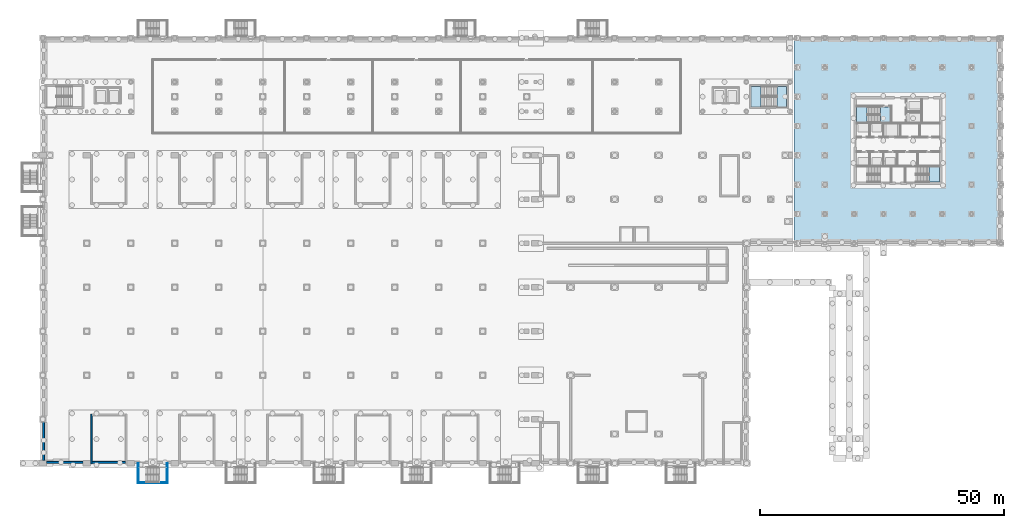
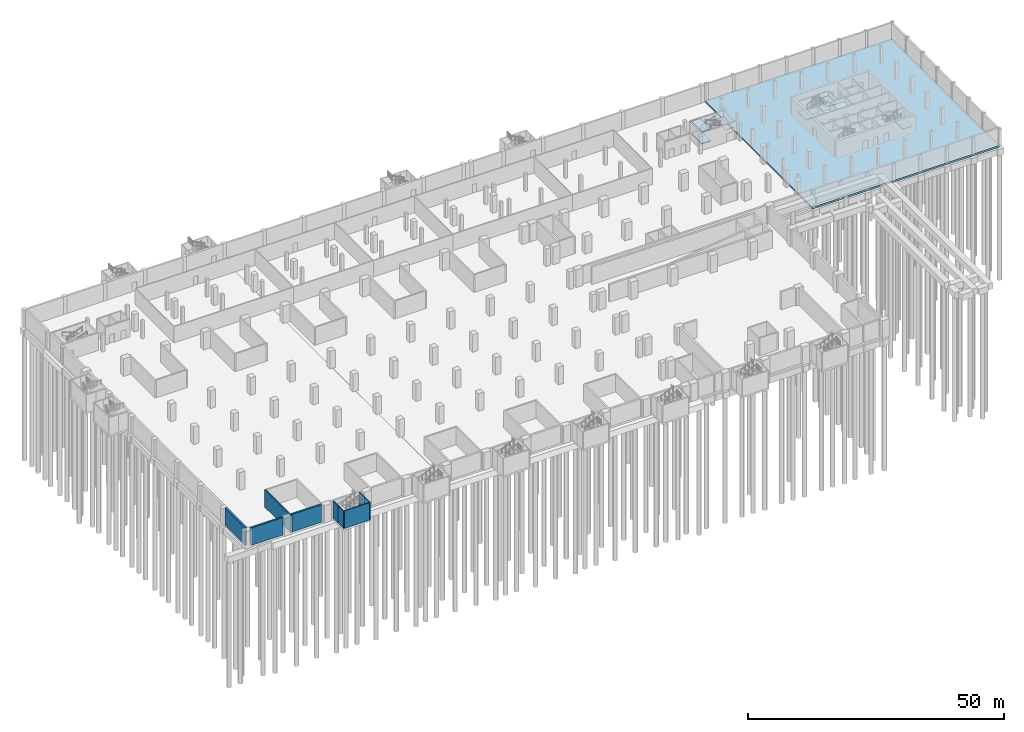
# One storey, part 9 of 29: 9 walls, 7 slabs, 3 elements without a shape of their own.
"""IFC4 building model written with IfcOpenShell, lengths in metres."""

import ifcopenshell
import ifcopenshell.guid

model = None  # the IFC model being written
_history = None  # IfcOwnerHistory: only IFC2X3 demands one
_inside = {}  # id of a spatial element -> (the spatial element, [elements in it])
_under = {}  # id of a project, library or spatial element -> (it, [spatial elements below it])
_declared = {}  # id of a project -> (the project, [libraries it declares])
_typed = {}  # id of a type object -> (the type object, [elements of that type])
_made_of = {}  # id of a material, layer set ... -> (it, [elements and type objects made of it])


def new_model(schema):
    """Start an empty IFC model of exactly this schema.

    Asked for "IFC4X3", IfcOpenShell would pick the latest addendum, in which some entities
    have other attributes; the version numbers below select the first issue.
    IFC2X3 requires an IfcOwnerHistory on every rooted entity: one is made here for all.
    """
    global model, _history
    if schema == "IFC4X3":
        model = ifcopenshell.file(schema_version=(4, 3, 0, 0))
    else:
        model = ifcopenshell.file(schema=schema)
    _inside.clear()
    _under.clear()
    _declared.clear()
    _typed.clear()
    _made_of.clear()
    _history = None
    if model.schema == "IFC2X3":
        org = make("IfcOrganization", Name="unknown")
        user = make(
            "IfcPersonAndOrganization",
            ThePerson=make("IfcPerson", FamilyName="unknown"),
            TheOrganization=org,
        )
        app = make(
            "IfcApplication",
            ApplicationDeveloper=org,
            Version="unknown",
            ApplicationFullName="unknown",
            ApplicationIdentifier="unknown",
        )
        _history = make(
            "IfcOwnerHistory",
            OwningUser=user,
            OwningApplication=app,
            ChangeAction="ADDED",
            CreationDate=0,
        )
    return model


def make(cls, **values):
    """One entity of the class cls with the attributes given. An attribute that is None is left unset."""
    return model.create_entity(
        cls, **{name: value for name, value in values.items() if value is not None}
    )


def rooted(cls, **values):
    """An entity with a GlobalId (a new one), such as an element, a storey or a relation."""
    return make(cls, GlobalId=ifcopenshell.guid.new(), OwnerHistory=_history, **values)


def si_unit(unit_type, name, prefix=None):
    """IfcSIUnit, for example si_unit("LENGTHUNIT", "METRE", prefix="MILLI")."""
    return make("IfcSIUnit", UnitType=unit_type, Prefix=prefix, Name=name)


def assignment(units):
    """IfcUnitAssignment: the units of a project."""
    return None if units is None else make("IfcUnitAssignment", Units=units)


def point(xyz):
    """IfcCartesianPoint."""
    return None if xyz is None else make("IfcCartesianPoint", Coordinates=xyz)


def direction(xyz):
    """IfcDirection."""
    return None if xyz is None else make("IfcDirection", DirectionRatios=xyz)


def frame(location, z_axis=None, x_axis=None):
    """IfcAxis2Placement3D, a coordinate frame: its origin and axes. An axis left out is left unset."""
    return make(
        "IfcAxis2Placement3D",
        Location=point(location),
        Axis=direction(z_axis),
        RefDirection=direction(x_axis),
    )


def frame_2d(location, x_axis=None):
    """IfcAxis2Placement2D, a coordinate frame in the plane: its origin and x axis."""
    return make(
        "IfcAxis2Placement2D", Location=point(location), RefDirection=direction(x_axis)
    )


def origin():
    """The frame at (0, 0, 0) with its axes left unset."""
    return frame((0.0, 0.0, 0.0))


def place(relative_to, where):
    """IfcLocalPlacement: puts the frame where relative to a parent placement (None: the world)."""
    return make(
        "IfcLocalPlacement", PlacementRelTo=relative_to, RelativePlacement=where
    )


def context(
    kind, dimensions, precision=None, world=None, true_north=None, identifier=None
):
    """IfcGeometricRepresentationContext, for example the 3D "Model" context."""
    return make(
        "IfcGeometricRepresentationContext",
        ContextIdentifier=identifier,
        ContextType=kind,
        CoordinateSpaceDimension=dimensions,
        Precision=precision,
        WorldCoordinateSystem=world,
        TrueNorth=true_north,
    )


def subcontext(parent, identifier, kind, view, scale=None):
    """IfcGeometricRepresentationSubContext, for example "Body" below "Model"."""
    return make(
        "IfcGeometricRepresentationSubContext",
        ContextIdentifier=identifier,
        ContextType=kind,
        ParentContext=parent,
        TargetScale=scale,
        TargetView=view,
    )


def project(units=None, contexts=None):
    """IfcProject with its units and contexts."""
    return rooted(
        "IfcProject",
        Name="project",
        RepresentationContexts=contexts,
        UnitsInContext=assignment(units),
    )


def spatial(cls, under=None, at=None, **own):
    """A site, building, storey or space (cls), placed at a placement, below another one or the project."""
    s = rooted(cls, ObjectPlacement=at, **own)
    if under is not None:
        _under.setdefault(under.id(), (under, []))[1].append(s)
    return s


def polyline(points):
    """IfcPolyline through the points."""
    return make("IfcPolyline", Points=[point(p) for p in points])


def profile(cls, at=None, kind="AREA", **sizes):
    """A parametric profile (cls). Its sizes go by their IFC names, for example OverallWidth=200.0."""
    return make(cls, ProfileType=kind, Position=at, **sizes)


def rectangle(**sizes):
    """IfcRectangleProfileDef."""
    return profile("IfcRectangleProfileDef", **sizes)


def outline(outer, holes=None, kind="AREA"):
    """IfcArbitraryClosedProfileDef: a profile drawn as a closed curve; with holes, ...WithVoids."""
    if holes is None:
        return make("IfcArbitraryClosedProfileDef", ProfileType=kind, OuterCurve=outer)
    return make(
        "IfcArbitraryProfileDefWithVoids",
        ProfileType=kind,
        OuterCurve=outer,
        InnerCurves=holes,
    )


def extrude(swept, where, along, depth):
    """IfcExtrudedAreaSolid: the profile swept, set in the frame where, extruded along a direction by depth."""
    return make(
        "IfcExtrudedAreaSolid",
        SweptArea=swept,
        Position=where,
        ExtrudedDirection=direction(along),
        Depth=depth,
    )


def shape(context_of_items, identifier, shape_type, items):
    """IfcShapeRepresentation: the items that make up one representation, for example the "Body"."""
    return make(
        "IfcShapeRepresentation",
        ContextOfItems=context_of_items,
        RepresentationIdentifier=identifier,
        RepresentationType=shape_type,
        Items=items,
    )


def material(Name=None, Category=None):
    """IfcMaterial."""
    return make("IfcMaterial", Name=Name, Category=Category)


def layer(
    of_material, thickness, ventilated=None, Name=None, Category=None, Priority=None
):
    """IfcMaterialLayer: one layer of a wall or slab, of a material (None: an air gap)."""
    return make(
        "IfcMaterialLayer",
        Material=of_material,
        LayerThickness=thickness,
        IsVentilated=ventilated,
        Name=Name,
        Category=Category,
        Priority=Priority,
    )


def layer_set(layers, Name=None):
    """IfcMaterialLayerSet."""
    return make("IfcMaterialLayerSet", MaterialLayers=layers, LayerSetName=Name)


def made_of(thing, what):
    """Note that an element or type object is made of a material, layer set ...; save() writes the relation."""
    if what is not None:
        _made_of.setdefault(what.id(), (what, []))[1].append(thing)
    return thing


def type_object(cls, material=None, **own):
    """A type object (cls), such as IfcWallType, which elements share."""
    return made_of(rooted(cls, **own), material)


def element(
    cls,
    number,
    at=None,
    inside=None,
    cuts=None,
    type_object=None,
    material=None,
    context=None,
    identifier="Body",
    shape_type=None,
    held_by="IfcProductDefinitionShape",
    body=None,
    shapes=None,
    **own,
):
    """One element of the class cls, such as IfcWall. Its Tag is "e" and its number.

    at: its placement. inside: the storey or other place that contains it. cuts: it is an
    opening in that element (IfcRelVoidsElement). A single representation is given by context,
    identifier, shape_type and body (its items); several are given by shapes. held_by: the class
    of the entity that holds the representations. save() writes the other relations.
    """
    e = rooted(cls, Tag="e%d" % number, ObjectPlacement=at, **own)
    if body is not None:
        shapes = [shape(context, identifier, shape_type, body)]
    if shapes is not None:
        e.Representation = make(held_by, Representations=shapes)
    if inside is not None:
        _inside.setdefault(inside.id(), (inside, []))[1].append(e)
    if cuts is not None:
        rooted(
            "IfcRelVoidsElement", RelatingBuildingElement=cuts, RelatedOpeningElement=e
        )
    if type_object is not None:
        _typed.setdefault(type_object.id(), (type_object, []))[1].append(e)
    return made_of(e, material)


def aggregate(whole, parts):
    """IfcRelAggregates: a whole, such as a stair, and the parts it consists of."""
    return rooted("IfcRelAggregates", RelatingObject=whole, RelatedObjects=parts)


def save(model, path):
    """Write the relations noted so far, then the file.

    IfcRelAggregates (storeys below a building ...), IfcRelContainedInSpatialStructure (elements
    in a storey), IfcRelDefinesByType, IfcRelAssociatesMaterial and IfcRelDeclares: one each for
    every whole, place, type object, material and project.
    """
    for whole, parts in _under.values():
        aggregate(whole, parts)
    for where, things in _inside.values():
        rooted(
            "IfcRelContainedInSpatialStructure",
            RelatedElements=things,
            RelatingStructure=where,
        )
    for kind, things in _typed.values():
        rooted("IfcRelDefinesByType", RelatedObjects=things, RelatingType=kind)
    for what, things in _made_of.values():
        rooted("IfcRelAssociatesMaterial", RelatedObjects=things, RelatingMaterial=what)
    for by, libraries in _declared.values():
        rooted("IfcRelDeclares", RelatingContext=by, RelatedDefinitions=libraries)
    model.write(path)


model = new_model("IFC4")

# Units and contexts
model_context = context("Model", 3, precision=1e-05, world=origin(), true_north=direction((0.0, 1.0)))
body_context = subcontext(model_context, "Body", "Model", "MODEL_VIEW")
ifc_project = project(units=[si_unit("LENGTHUNIT", "METRE"), si_unit("AREAUNIT", "SQUARE_METRE"), si_unit("VOLUMEUNIT", "CUBIC_METRE"), si_unit("PLANEANGLEUNIT", "RADIAN"), si_unit("MASSUNIT", "GRAM", prefix="KILO")], contexts=[model_context])

# Site, building, storey
site_placement = place(None, origin())
site = spatial("IfcSite", under=ifc_project, at=site_placement, CompositionType="ELEMENT")
building_placement = place(site_placement, origin())
building = spatial("IfcBuilding", under=site, at=building_placement, Name="Aravalli Gate Trade Fair Centre", CompositionType="ELEMENT")
storey_placement = place(building_placement, frame((0.0, 0.0, -8.39990234375)))
storey = spatial("IfcBuildingStorey", under=building, at=storey_placement, Name="B2", CompositionType="ELEMENT", Elevation=-8.39990234375)

# Slab
ifc_material_1 = material(Name="Concrete M40", Category="concrete")
ifc_layer_1 = layer(ifc_material_1, 0.39990234375)
ifc_layer_set_1 = layer_set([ifc_layer_1], Name="Concrete M40")
slab_type_1 = type_object("IfcSlabType", Name="Basement tie slab 400", PredefinedType="BASESLAB", material=ifc_layer_set_1)
slab_1_placement = place(storey_placement, frame((0.0, 0.0, -0.400146484375)))
element("IfcSlab", 1, at=slab_1_placement, inside=storey, type_object=slab_type_1, Name="Basement tie slab B2 east of the seismic joint", PredefinedType="BASESLAB", context=body_context, shape_type="SweptSolid", body=[
    extrude(outline(polyline([(202.0, 133.0), (202.0, 91.0), (159.699951171875, 91.0), (159.699951171875, 133.0), (202.0, 133.0)])), origin(), (0.0, 0.0, 1.0), 0.400146484375),
])

# Stair, slabs
ifc_material_2 = material(Name="Concrete M30", Category="concrete")
stair_type_1 = type_object("IfcStairType", Name="Concourse stair, 2000 wide", PredefinedType="HALF_TURN_STAIR", material=ifc_material_2)
stair_1_placement = place(storey_placement, origin())
stair_1 = element("IfcStair", 2, at=stair_1_placement, inside=storey, type_object=stair_type_1, Name="Stair ES B2", PredefinedType="HALF_TURN_STAIR")
ifc_layer_2 = layer(ifc_material_2, 0.199951171875)
ifc_layer_set_2 = layer_set([ifc_layer_2], Name="Concrete M30")
slab_type_2 = type_object("IfcSlabType", Name="Concourse stair landing 200", PredefinedType="LANDING", material=ifc_layer_set_2)
slab_2_placement = place(storey_placement, frame((0.0, 0.0, 1.199951171875)))
slab_2 = element("IfcSlab", 3, at=slab_2_placement, type_object=slab_type_2, Name="STES-B2 landing 1", PredefinedType="LANDING", context=body_context, shape_type="SweptSolid", body=[
    extrude(outline(polyline([(150.89990234375, 118.89990234375), (152.9599609375, 118.89990234375), (152.9599609375, 123.10009765625), (150.89990234375, 123.10009765625), (150.89990234375, 118.89990234375)])), origin(), (0.0, 0.0, 1.0), 0.199951171875),
])
slab_3_placement = place(storey_placement, frame((0.0, 0.0, 2.599853515625)))
slab_3 = element("IfcSlab", 4, at=slab_3_placement, type_object=slab_type_2, Name="STES-B2 landing 2", PredefinedType="LANDING", context=body_context, shape_type="SweptSolid", body=[
    extrude(outline(polyline([(156.199951171875, 118.89990234375), (158.199951171875, 118.89990234375), (158.199951171875, 123.10009765625), (156.199951171875, 123.10009765625), (156.199951171875, 118.89990234375)])), origin(), (0.0, 0.0, 1.0), 0.199951171875),
])
slab_4_placement = place(storey_placement, frame((0.0, 0.0, 4.0)))
slab_4 = element("IfcSlab", 5, at=slab_4_placement, type_object=slab_type_2, Name="STES-B2 landing 3", PredefinedType="LANDING", context=body_context, shape_type="SweptSolid", body=[
    extrude(outline(polyline([(150.89990234375, 118.89990234375), (152.9599609375, 118.89990234375), (152.9599609375, 123.10009765625), (150.89990234375, 123.10009765625), (150.89990234375, 118.89990234375)])), origin(), (0.0, 0.0, 1.0), 0.199951171875),
])
aggregate(stair_1, [slab_2, slab_3, slab_4])

# Stair, slab
stair_type_2 = type_object("IfcStairType", Name="Wing core stair", PredefinedType="HALF_TURN_STAIR", material=ifc_material_2)
stair_2_placement = place(storey_placement, origin())
stair_2 = element("IfcStair", 6, at=stair_2_placement, inside=storey, type_object=stair_type_2, Name="Stair S1 B2", PredefinedType="HALF_TURN_STAIR")
ifc_layer_3 = layer(ifc_material_2, 0.199951171875)
ifc_layer_set_3 = layer_set([ifc_layer_3], Name="Concrete M30")
slab_type_3 = type_object("IfcSlabType", Name="Wing core stair landing 200", PredefinedType="LANDING", material=ifc_layer_set_3)
slab_5_placement = place(storey_placement, frame((0.0, 0.0, 1.248291015625)))
slab_5 = element("IfcSlab", 7, at=slab_5_placement, type_object=slab_type_3, Name="TST1 landing 1", PredefinedType="LANDING", context=body_context, shape_type="SweptSolid", body=[
    extrude(outline(polyline([(187.35009765625, 103.5), (189.5, 103.5), (189.5, 106.699951171875), (187.35009765625, 106.699951171875), (187.35009765625, 103.5)])), origin(), (0.0, 0.0, 1.0), 0.199951171875),
])
aggregate(stair_2, [slab_5])

# Stair, slabs
stair_3_placement = place(storey_placement, origin())
stair_3 = element("IfcStair", 8, at=stair_3_placement, inside=storey, type_object=stair_type_2, Name="Stair FFS B2", PredefinedType="HALF_TURN_STAIR")
slab_6_placement = place(storey_placement, frame((0.0, 0.0, 1.248291015625)))
slab_6 = element("IfcSlab", 9, at=slab_6_placement, type_object=slab_type_3, Name="TST1 landing 1", PredefinedType="LANDING", context=body_context, shape_type="SweptSolid", body=[
    extrude(outline(polyline([(172.5, 115.699951171875), (174.64990234375, 115.699951171875), (174.64990234375, 118.89990234375), (172.5, 118.89990234375), (172.5, 115.699951171875)])), origin(), (0.0, 0.0, 1.0), 0.199951171875),
])
slab_7_placement = place(storey_placement, frame((0.0, 0.0, 2.696533203125)))
slab_7 = element("IfcSlab", 10, at=slab_7_placement, type_object=slab_type_3, Name="TST1 landing 2", PredefinedType="LANDING", context=body_context, shape_type="SweptSolid", body=[
    extrude(outline(polyline([(177.35009765625, 115.699951171875), (179.5, 115.699951171875), (179.5, 118.89990234375), (177.35009765625, 118.89990234375), (177.35009765625, 115.699951171875)])), origin(), (0.0, 0.0, 1.0), 0.199951171875),
])
aggregate(stair_3, [slab_6, slab_7])

# Walls
ifc_layer_4 = layer(ifc_material_1, 0.39990234375)
ifc_layer_set_4 = layer_set([ifc_layer_4], Name="Concrete M40")
wall_type_1 = type_object("IfcWallType", Name="Basement retaining wall 400", PredefinedType="SOLIDWALL", material=ifc_layer_set_4)
wall_1_placement = place(storey_placement, frame((6.800048828125, 46.199951171875, 0.0), z_axis=(0.0, 0.0, 1.0), x_axis=(1.0, 0.0, 0.0)))
element("IfcWall", 11, at=wall_1_placement, inside=storey, type_object=wall_type_1, Name="Retaining wall S01 B2", PredefinedType="SOLIDWALL", context=body_context, shape_type="SweptSolid", body=[
    extrude(rectangle(XDim=7.39990234375, YDim=0.39990234375, at=frame_2d((3.699951171875, 0.0))), origin(), (0.0, 0.0, 1.0), 4.199951171875),
])
wall_2_placement = place(storey_placement, frame((16.10009765625, 46.199951171875, 0.0), z_axis=(0.0, 0.0, 1.0), x_axis=(1.0, 0.0, 0.0)))
element("IfcWall", 12, at=wall_2_placement, inside=storey, type_object=wall_type_1, Name="Retaining wall S02 B2", PredefinedType="SOLIDWALL", context=body_context, shape_type="SweptSolid", body=[
    extrude(rectangle(XDim=6.7998046875, YDim=0.39990234375, at=frame_2d((3.39990234375, 0.0))), origin(), (0.0, 0.0, 1.0), 4.199951171875),
])
wall_3_placement = place(storey_placement, frame((6.199951171875, 46.60009765625, 0.0), z_axis=(0.0, 0.0, 1.0), x_axis=(0.0, 1.0, 0.0)))
element("IfcWall", 13, at=wall_3_placement, inside=storey, type_object=wall_type_1, Name="Retaining wall W01 B2", PredefinedType="SOLIDWALL", context=body_context, shape_type="SweptSolid", body=[
    extrude(rectangle(XDim=7.89990234375, YDim=0.39990234375, at=frame_2d((3.949951171875, 0.0))), origin(), (0.0, 0.0, 1.0), 4.199951171875),
])
ifc_material_3 = material(Name="Concrete M35", Category="concrete")
ifc_layer_5 = layer(ifc_material_3, 0.199951171875)
ifc_layer_set_5 = layer_set([ifc_layer_5], Name="Concrete M35")
wall_type_2 = type_object("IfcWallType", Name="Basement stair enclosure wall 200", PredefinedType="SOLIDWALL", material=ifc_layer_set_5)
for number, where, z_axis, x_axis, name in (
    (14, (25.550048828125, 46.0, 0.0), (0.0, 0.0, 1.0), (0.0, -1.0, 0.0), "Basement stair S1 enclosure wall L1 B2"),
    (15, (25.550048828125, 43.949951171875, 0.0), (0.0, 0.0, 1.0), (0.0, -1.0, 0.0), "Basement stair S1 enclosure wall L2 B2"),
    (16, (31.449951171875, 46.0, 0.0), (0.0, 0.0, 1.0), (0.0, -1.0, 0.0), "Basement stair S1 enclosure wall R1 B2"),
    (17, (31.449951171875, 43.949951171875, 0.0), (0.0, 0.0, 1.0), (0.0, -1.0, 0.0), "Basement stair S1 enclosure wall R2 B2"),
):
    element("IfcWall", number, at=place(storey_placement, frame(where, z_axis=z_axis, x_axis=x_axis)), inside=storey, type_object=wall_type_2, Name=name, PredefinedType="SOLIDWALL", context=body_context, shape_type="SweptSolid", body=[
        extrude(rectangle(XDim=2.050048828125, YDim=0.199951171875, at=frame_2d((1.02490234375, 0.0))), origin(), (0.0, 0.0, 1.0), 4.199951171875),
    ])
wall_4_placement = place(storey_placement, frame((25.64990234375, 42.0, 0.0), z_axis=(0.0, 0.0, 1.0), x_axis=(1.0, 0.0, 0.0)))
element("IfcWall", 18, at=wall_4_placement, inside=storey, type_object=wall_type_2, Name="Basement stair S1 enclosure wall O B2", PredefinedType="SOLIDWALL", context=body_context, shape_type="SweptSolid", body=[
    extrude(rectangle(XDim=5.7001953125, YDim=0.199951171875, at=frame_2d((2.85009765625, 0.0))), origin(), (0.0, 0.0, 1.0), 4.199951171875),
])
ifc_layer_6 = layer(ifc_material_1, 0.300048828125)
ifc_layer_set_6 = layer_set([ifc_layer_6], Name="Concrete M40")
wall_type_3 = type_object("IfcWallType", Name="Stair tower wall RC 300", PredefinedType="SHEAR", material=ifc_layer_set_6)
wall_5_placement = place(storey_placement, frame((15.949951171875, 45.85009765625, 0.0), z_axis=(0.0, 0.0, 1.0), x_axis=(0.0, 1.0, 0.0)))
element("IfcWall", 19, at=wall_5_placement, inside=storey, type_object=wall_type_3, Name="Stair tower S02 wall W B2", PredefinedType="SHEAR", context=body_context, shape_type="SweptSolid", body=[
    extrude(rectangle(XDim=10.199951171875, YDim=0.300048828125, at=frame_2d((5.10009765625, 0.0))), origin(), (0.0, 0.0, 1.0), 4.199951171875),
])

save(model, "model.ifc")
